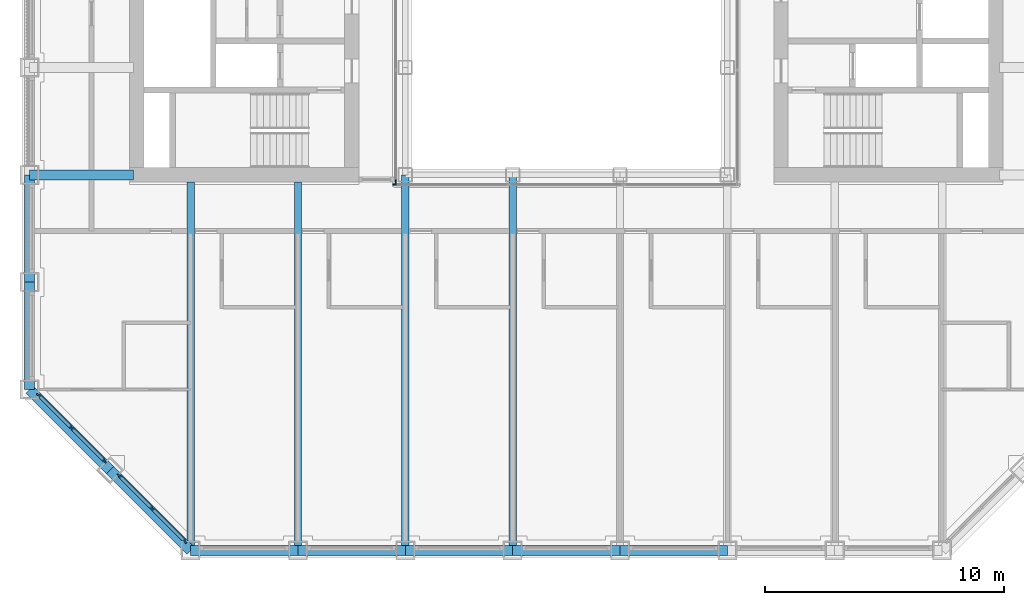
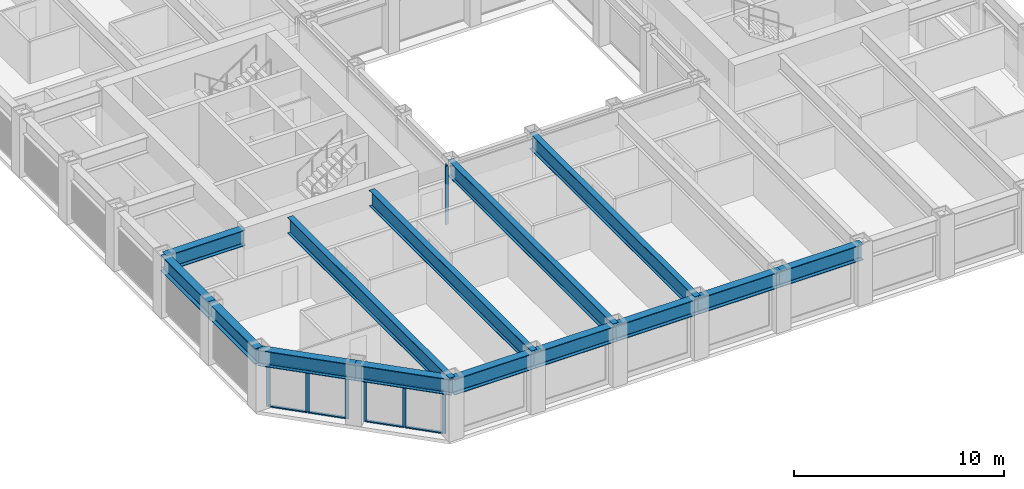
# One storey, part 2 of 18: 16 members, 14 beams, 4 elements without a shape of their own.
"""IFC4 building model written with IfcOpenShell, lengths in metres."""

from ifc_helpers import new_model, si_unit, direction, frame, origin, origin_2d, place, context, subcontext, project, spatial, rectangle, i_section, extrude, material, material_profile, profile_set, type_object, element, aggregate, save


model = new_model("IFC4")

# Units and contexts
model_context = context("Model", 3, precision=1e-05, world=origin(), true_north=direction((0.0, 1.0)))
body_context = subcontext(model_context, "Body", "Model", "MODEL_VIEW")
ifc_project = project(units=[si_unit("LENGTHUNIT", "METRE"), si_unit("AREAUNIT", "SQUARE_METRE"), si_unit("VOLUMEUNIT", "CUBIC_METRE"), si_unit("PLANEANGLEUNIT", "RADIAN"), si_unit("MASSUNIT", "GRAM", prefix="KILO")], contexts=[model_context])

# Site, building, storey
site_placement = place(None, origin())
site = spatial("IfcSite", under=ifc_project, at=site_placement, CompositionType="ELEMENT")
building_placement = place(site_placement, origin())
building = spatial("IfcBuilding", under=site, at=building_placement, Name="Msasa Ring Tower", CompositionType="ELEMENT")
storey_placement = place(building_placement, frame((0.0, 0.0, 122.0)))
storey = spatial("IfcBuildingStorey", under=building, at=storey_placement, Name="L31", CompositionType="ELEMENT", Elevation=122.0)

# Curtain wall, members
ifc_material_1 = material(Name="Aluminium curtain wall with clear glass", Category="aluminium")
curtain_wall_type_1 = type_object("IfcCurtainWallType", Name="CW-C CHAMFER CORNER CURTAIN WALL", PredefinedType="NOTDEFINED", material=ifc_material_1)
curtain_wall_1_placement = place(storey_placement, origin())
curtain_wall_1 = element("IfcCurtainWall", 1, at=curtain_wall_1_placement, inside=storey, type_object=curtain_wall_type_1, Name="Chamfer corner curtain wall SW L31", PredefinedType="NOTDEFINED")
ifc_material_2 = material(Name="Aluminium mullion", Category="aluminium")
ifc_material_profile_1 = material_profile(ifc_material_2, rectangle(XDim=0.06494140625, YDim=0.179931640625, at=origin_2d()), Name="AL 65x180")
ifc_profile_set_1 = profile_set([ifc_material_profile_1], Name="Aluminium mullion")
member_type_1 = type_object("IfcMemberType", Name="CW-C MULLION 65x180", PredefinedType="MULLION", material=ifc_profile_set_1)
member_1_placement = place(storey_placement, frame((-22.119873046875, -15.98876953125, 0.0), z_axis=(0.0, 0.0, 1.0), x_axis=(0.707106781187, 0.707106781187, 0.0)))
member_1 = element("IfcMember", 2, at=member_1_placement, type_object=member_type_1, Name="CW-C mullion 1", PredefinedType="MULLION", context=body_context, shape_type="SweptSolid", body=[
    extrude(rectangle(XDim=0.06494140625, YDim=0.179931640625, at=origin_2d()), origin(), (0.0, 0.0, 1.0), 2.47900390625),
])
member_2_placement = place(storey_placement, frame((-20.74169921875, -17.36669921875, 0.0), z_axis=(0.0, 0.0, 1.0), x_axis=(0.707106781187, 0.707106781187, 0.0)))
member_2 = element("IfcMember", 3, at=member_2_placement, type_object=member_type_1, Name="CW-C mullion 2", PredefinedType="MULLION", context=body_context, shape_type="SweptSolid", body=[
    extrude(rectangle(XDim=0.06494140625, YDim=0.179931640625, at=origin_2d()), origin(), (0.0, 0.0, 1.0), 2.47900390625),
])
member_3_placement = place(storey_placement, frame((-19.36376953125, -18.744873046875, 0.0), z_axis=(0.0, 0.0, 1.0), x_axis=(0.707106781187, 0.707106781187, 0.0)))
member_3 = element("IfcMember", 4, at=member_3_placement, type_object=member_type_1, Name="CW-C mullion 3", PredefinedType="MULLION", context=body_context, shape_type="SweptSolid", body=[
    extrude(rectangle(XDim=0.06494140625, YDim=0.179931640625, at=origin_2d()), origin(), (0.0, 0.0, 1.0), 2.47900390625),
])

curtain_wall_2_placement = place(storey_placement, origin())
curtain_wall_2 = element("IfcCurtainWall", 5, at=curtain_wall_2_placement, inside=storey, type_object=curtain_wall_type_1, Name="Chamfer corner curtain wall SW L31", PredefinedType="NOTDEFINED")
member_4_placement = place(storey_placement, frame((-18.744873046875, -19.36376953125, 0.0), z_axis=(0.0, 0.0, 1.0), x_axis=(0.707106781187, 0.707106781187, 0.0)))
member_4 = element("IfcMember", 6, at=member_4_placement, type_object=member_type_1, Name="CW-C mullion 1", PredefinedType="MULLION", context=body_context, shape_type="SweptSolid", body=[
    extrude(rectangle(XDim=0.06494140625, YDim=0.179931640625, at=origin_2d()), origin(), (0.0, 0.0, 1.0), 2.47900390625),
])
member_5_placement = place(storey_placement, frame((-17.36669921875, -20.74169921875, 0.0), z_axis=(0.0, 0.0, 1.0), x_axis=(0.707106781187, 0.707106781187, 0.0)))
member_5 = element("IfcMember", 7, at=member_5_placement, type_object=member_type_1, Name="CW-C mullion 2", PredefinedType="MULLION", context=body_context, shape_type="SweptSolid", body=[
    extrude(rectangle(XDim=0.06494140625, YDim=0.179931640625, at=origin_2d()), origin(), (0.0, 0.0, 1.0), 2.47900390625),
])
member_6_placement = place(storey_placement, frame((-15.98876953125, -22.119873046875, 0.0), z_axis=(0.0, 0.0, 1.0), x_axis=(0.707106781187, 0.707106781187, 0.0)))
member_6 = element("IfcMember", 8, at=member_6_placement, type_object=member_type_1, Name="CW-C mullion 3", PredefinedType="MULLION", context=body_context, shape_type="SweptSolid", body=[
    extrude(rectangle(XDim=0.06494140625, YDim=0.179931640625, at=origin_2d()), origin(), (0.0, 0.0, 1.0), 2.47900390625),
])

# Member
ifc_material_3 = material(Name="Aluminium transom", Category="aluminium")
ifc_material_profile_2 = material_profile(ifc_material_3, rectangle(XDim=0.139892578125, YDim=0.06494140625, at=origin_2d()), Name="AL 65x140")
ifc_profile_set_2 = profile_set([ifc_material_profile_2], Name="Aluminium transom")
member_type_2 = type_object("IfcMemberType", Name="CW-C TRANSOM 65x140", PredefinedType="USERDEFINED", material=ifc_profile_set_2)
member_7_placement = place(storey_placement, frame((-22.096923828125, -16.01171875, 0.032470703125), z_axis=(0.707106781187, -0.707106781187, 0.0), x_axis=(0.707106781187, 0.707106781187, 0.0)))
member_7 = element("IfcMember", 9, at=member_7_placement, type_object=member_type_2, Name="CW-C transom 1.1", ObjectType="TRANSOM", PredefinedType="USERDEFINED", context=body_context, shape_type="SweptSolid", body=[
    extrude(rectangle(XDim=0.139892578125, YDim=0.06494140625, at=origin_2d()), origin(), (0.0, 0.0, 1.0), 1.8837890625),
])

member_8_placement = place(storey_placement, frame((-22.096923828125, -16.01171875, 2.446533203125), z_axis=(0.707106781187, -0.707106781187, 0.0), x_axis=(0.707106781187, 0.707106781187, 0.0)))
member_8 = element("IfcMember", 10, at=member_8_placement, type_object=member_type_2, Name="CW-C transom 1.2", ObjectType="TRANSOM", PredefinedType="USERDEFINED", context=body_context, shape_type="SweptSolid", body=[
    extrude(rectangle(XDim=0.139892578125, YDim=0.06494140625, at=origin_2d()), origin(), (0.0, 0.0, 1.0), 1.8837890625),
])

member_9_placement = place(storey_placement, frame((-20.71875, -17.389892578125, 0.032470703125), z_axis=(0.707106781187, -0.707106781187, 0.0), x_axis=(0.707106781187, 0.707106781187, 0.0)))
member_9 = element("IfcMember", 11, at=member_9_placement, type_object=member_type_2, Name="CW-C transom 2.1", ObjectType="TRANSOM", PredefinedType="USERDEFINED", context=body_context, shape_type="SweptSolid", body=[
    extrude(rectangle(XDim=0.139892578125, YDim=0.06494140625, at=origin_2d()), origin(), (0.0, 0.0, 1.0), 1.8837890625),
])

member_10_placement = place(storey_placement, frame((-20.71875, -17.389892578125, 2.446533203125), z_axis=(0.707106781187, -0.707106781187, 0.0), x_axis=(0.707106781187, 0.707106781187, 0.0)))
member_10 = element("IfcMember", 12, at=member_10_placement, type_object=member_type_2, Name="CW-C transom 2.2", ObjectType="TRANSOM", PredefinedType="USERDEFINED", context=body_context, shape_type="SweptSolid", body=[
    extrude(rectangle(XDim=0.139892578125, YDim=0.06494140625, at=origin_2d()), origin(), (0.0, 0.0, 1.0), 1.8837890625),
])

aggregate(curtain_wall_1, [member_1, member_2, member_3, member_7, member_8, member_9, member_10])

member_11_placement = place(storey_placement, frame((-18.721923828125, -19.38671875, 0.032470703125), z_axis=(0.707106781187, -0.707106781187, 0.0), x_axis=(0.707106781187, 0.707106781187, 0.0)))
member_11 = element("IfcMember", 13, at=member_11_placement, type_object=member_type_2, Name="CW-C transom 1.1", ObjectType="TRANSOM", PredefinedType="USERDEFINED", context=body_context, shape_type="SweptSolid", body=[
    extrude(rectangle(XDim=0.139892578125, YDim=0.06494140625, at=origin_2d()), origin(), (0.0, 0.0, 1.0), 1.8837890625),
])

member_12_placement = place(storey_placement, frame((-18.721923828125, -19.38671875, 2.446533203125), z_axis=(0.707106781187, -0.707106781187, 0.0), x_axis=(0.707106781187, 0.707106781187, 0.0)))
member_12 = element("IfcMember", 14, at=member_12_placement, type_object=member_type_2, Name="CW-C transom 1.2", ObjectType="TRANSOM", PredefinedType="USERDEFINED", context=body_context, shape_type="SweptSolid", body=[
    extrude(rectangle(XDim=0.139892578125, YDim=0.06494140625, at=origin_2d()), origin(), (0.0, 0.0, 1.0), 1.8837890625),
])

member_13_placement = place(storey_placement, frame((-17.34375, -20.764892578125, 0.032470703125), z_axis=(0.707106781187, -0.707106781187, 0.0), x_axis=(0.707106781187, 0.707106781187, 0.0)))
member_13 = element("IfcMember", 15, at=member_13_placement, type_object=member_type_2, Name="CW-C transom 2.1", ObjectType="TRANSOM", PredefinedType="USERDEFINED", context=body_context, shape_type="SweptSolid", body=[
    extrude(rectangle(XDim=0.139892578125, YDim=0.06494140625, at=origin_2d()), origin(), (0.0, 0.0, 1.0), 1.8837890625),
])

member_14_placement = place(storey_placement, frame((-17.34375, -20.764892578125, 2.446533203125), z_axis=(0.707106781187, -0.707106781187, 0.0), x_axis=(0.707106781187, 0.707106781187, 0.0)))
member_14 = element("IfcMember", 16, at=member_14_placement, type_object=member_type_2, Name="CW-C transom 2.2", ObjectType="TRANSOM", PredefinedType="USERDEFINED", context=body_context, shape_type="SweptSolid", body=[
    extrude(rectangle(XDim=0.139892578125, YDim=0.06494140625, at=origin_2d()), origin(), (0.0, 0.0, 1.0), 1.8837890625),
])

aggregate(curtain_wall_2, [member_4, member_5, member_6, member_11, member_12, member_13, member_14])

# Curtain wall, member
ifc_material_4 = material(Name="Aluminium curtain wall with clear glass", Category="aluminium")
curtain_wall_type_2 = type_object("IfcCurtainWallType", Name="CW-W LIGHT WELL CURTAIN WALL", PredefinedType="NOTDEFINED", material=ifc_material_4)
curtain_wall_3_placement = place(storey_placement, origin())
curtain_wall_3 = element("IfcCurtainWall", 17, at=curtain_wall_3_placement, inside=storey, type_object=curtain_wall_type_2, Name="Light well curtain wall S L31", PredefinedType="NOTDEFINED")
ifc_material_5 = material(Name="Aluminium mullion", Category="aluminium")
ifc_material_profile_3 = material_profile(ifc_material_5, rectangle(XDim=0.06005859375, YDim=0.159912109375, at=origin_2d()), Name="AL 60x160")
ifc_profile_set_3 = profile_set([ifc_material_profile_3], Name="Aluminium mullion")
member_type_3 = type_object("IfcMemberType", Name="CW-W MULLION 60x160", PredefinedType="MULLION", material=ifc_profile_set_3)
member_15_placement = place(storey_placement, frame((-7.199951171875, -7.14990234375, 0.0), z_axis=(0.0, 0.0, 1.0), x_axis=(0.0, 1.0, 0.0)))
member_15 = element("IfcMember", 18, at=member_15_placement, type_object=member_type_3, Name="CW-W mullion 1", PredefinedType="MULLION", context=body_context, shape_type="SweptSolid", body=[
    extrude(rectangle(XDim=0.06005859375, YDim=0.159912109375, at=origin_2d()), origin(), (0.0, 0.0, 1.0), 3.39990234375),
])
aggregate(curtain_wall_3, [member_15])

curtain_wall_4_placement = place(storey_placement, origin())
curtain_wall_4 = element("IfcCurtainWall", 19, at=curtain_wall_4_placement, inside=storey, type_object=curtain_wall_type_2, Name="Light well curtain wall W L31", PredefinedType="NOTDEFINED")
member_16_placement = place(storey_placement, frame((-7.14990234375, -7.0400390625, 0.0), z_axis=(0.0, 0.0, 1.0), x_axis=(-1.0, 0.0, 0.0)))
member_16 = element("IfcMember", 20, at=member_16_placement, type_object=member_type_3, Name="CW-W mullion 1", PredefinedType="MULLION", context=body_context, shape_type="SweptSolid", body=[
    extrude(rectangle(XDim=0.06005859375, YDim=0.159912109375, at=origin_2d()), origin(), (0.0, 0.0, 1.0), 3.39990234375),
])
aggregate(curtain_wall_4, [member_16])

# Beams
ifc_material_6 = material(Name="Steel S355", Category="steel")
ifc_material_profile_4 = material_profile(ifc_material_6, i_section(OverallWidth=0.3076171875, OverallDepth=0.926513671875, WebThickness=0.01953125, FlangeThickness=0.031982421875, FilletRadius=0.01904296875, at=origin_2d()), Name="UB 914x305x289")
ifc_profile_set_4 = profile_set([ifc_material_profile_4], Name="Steel S355")
beam_type_1 = type_object("IfcBeamType", Name="FB3 UB 914x305x289", PredefinedType="BEAM", material=ifc_profile_set_4)
for number, where, z_axis, x_axis, name in (
    (21, (-15.75, -22.5, 2.936767578125), (0.0, 1.0, 0.0), (-1.0, 0.0, 0.0), "Floor beam S-15.75 under L32"),
    (22, (-11.25, -22.5, 2.936767578125), (0.0, 1.0, 0.0), (-1.0, 0.0, 0.0), "Floor beam S-11.25 under L32"),
):
    element("IfcBeam", number, at=place(storey_placement, frame(where, z_axis=z_axis, x_axis=x_axis)), inside=storey, type_object=beam_type_1, Name=name, PredefinedType="BEAM", context=body_context, shape_type="SweptSolid", body=[
        extrude(i_section(OverallWidth=0.3076171875, OverallDepth=0.926513671875, WebThickness=0.01953125, FlangeThickness=0.031982421875, FilletRadius=0.01904296875, at=origin_2d()), origin(), (0.0, 0.0, 1.0), 15.449951171875),
    ])
for number, where, z_axis, x_axis, name in (
    (23, (-6.75, -22.5, 2.936767578125), (0.0, 1.0, 0.0), (-1.0, 0.0, 0.0), "Floor beam S-6.75 under L32"),
    (24, (-2.25, -22.5, 2.936767578125), (0.0, 1.0, 0.0), (-1.0, 0.0, 0.0), "Floor beam S-2.25 under L32"),
):
    element("IfcBeam", number, at=place(storey_placement, frame(where, z_axis=z_axis, x_axis=x_axis)), inside=storey, type_object=beam_type_1, Name=name, PredefinedType="BEAM", context=body_context, shape_type="SweptSolid", body=[
        extrude(i_section(OverallWidth=0.3076171875, OverallDepth=0.926513671875, WebThickness=0.01953125, FlangeThickness=0.031982421875, FilletRadius=0.01904296875, at=origin_2d()), origin(), (0.0, 0.0, 1.0), 15.75),
    ])
ifc_material_7 = material(Name="Steel S355", Category="steel")
ifc_material_profile_5 = material_profile(ifc_material_7, i_section(OverallWidth=0.42041015625, OverallDepth=0.9208984375, WebThickness=0.021484375, FlangeThickness=0.03662109375, FilletRadius=0.024169921875, at=origin_2d()), Name="UB 914x419x388")
ifc_profile_set_5 = profile_set([ifc_material_profile_5], Name="Steel S355")
beam_type_2 = type_object("IfcBeamType", Name="GB1 UB 914x419x388", PredefinedType="BEAM", material=ifc_profile_set_5)
beam_placement = place(storey_placement, frame((-18.14990234375, -6.75, 2.939453125), z_axis=(-1.0, 0.0, 0.0), x_axis=(0.0, -1.0, 0.0)))
element("IfcBeam", 25, at=beam_placement, inside=storey, type_object=beam_type_2, Name="Girder W -6.75 under L32", PredefinedType="BEAM", context=body_context, shape_type="SweptSolid", body=[
    extrude(i_section(OverallWidth=0.42041015625, OverallDepth=0.9208984375, WebThickness=0.021484375, FlangeThickness=0.03662109375, FilletRadius=0.024169921875, at=origin_2d()), origin(), (0.0, 0.0, 1.0), 4.35009765625),
])
ifc_material_8 = material(Name="Steel S355", Category="steel")
ifc_material_profile_6 = material_profile(ifc_material_8, i_section(OverallWidth=0.42041015625, OverallDepth=0.9208984375, WebThickness=0.021484375, FlangeThickness=0.03662109375, FilletRadius=0.024169921875, at=origin_2d()), Name="UB 914x419x388")
ifc_profile_set_6 = profile_set([ifc_material_profile_6], Name="Steel S355")
beam_type_3 = type_object("IfcBeamType", Name="SB1 UB 914x419x388", PredefinedType="SPANDREL", material=ifc_profile_set_6)
for number, where, z_axis, x_axis, name in (
    (26, (-22.5, -6.75, 2.939453125), (0.0, -1.0, 0.0), (1.0, 0.0, 0.0), "Spandrel W-6.75 to W-11.25 under L32"),
    (27, (-22.5, -11.25, 2.939453125), (0.0, -1.0, 0.0), (1.0, 0.0, 0.0), "Spandrel W-11.25 to W-15.75 under L32"),
):
    element("IfcBeam", number, at=place(storey_placement, frame(where, z_axis=z_axis, x_axis=x_axis)), inside=storey, type_object=beam_type_3, Name=name, PredefinedType="SPANDREL", context=body_context, shape_type="SweptSolid", body=[
        extrude(i_section(OverallWidth=0.42041015625, OverallDepth=0.9208984375, WebThickness=0.021484375, FlangeThickness=0.03662109375, FilletRadius=0.024169921875, at=origin_2d()), origin(), (0.0, 0.0, 1.0), 4.5),
    ])
for number, where, z_axis, x_axis, name in (
    (28, (-22.5, -15.75, 2.939453125), (0.707106781187, -0.707106781187, 0.0), (0.707106781187, 0.707106781187, 0.0), "Spandrel W-15.75 to SW under L32"),
    (29, (-19.125, -19.125, 2.939453125), (0.707106781187, -0.707106781187, 0.0), (0.707106781187, 0.707106781187, 0.0), "Spandrel SW to S-15.75 under L32"),
):
    element("IfcBeam", number, at=place(storey_placement, frame(where, z_axis=z_axis, x_axis=x_axis)), inside=storey, type_object=beam_type_3, Name=name, PredefinedType="SPANDREL", context=body_context, shape_type="SweptSolid", body=[
        extrude(i_section(OverallWidth=0.42041015625, OverallDepth=0.9208984375, WebThickness=0.021484375, FlangeThickness=0.03662109375, FilletRadius=0.024169921875, at=origin_2d()), origin(), (0.0, 0.0, 1.0), 4.77294921875),
    ])
for number, where, z_axis, x_axis, name in (
    (30, (-15.75, -22.5, 2.939453125), (1.0, 0.0, 0.0), (0.0, 1.0, 0.0), "Spandrel S-15.75 to S-11.25 under L32"),
    (31, (-11.25, -22.5, 2.939453125), (1.0, 0.0, 0.0), (0.0, 1.0, 0.0), "Spandrel S-11.25 to S-6.75 under L32"),
    (32, (-6.75, -22.5, 2.939453125), (1.0, 0.0, 0.0), (0.0, 1.0, 0.0), "Spandrel S-6.75 to S-2.25 under L32"),
    (33, (-2.25, -22.5, 2.939453125), (1.0, 0.0, 0.0), (0.0, 1.0, 0.0), "Spandrel S-2.25 to S+2.25 under L32"),
    (34, (2.25, -22.5, 2.939453125), (1.0, 0.0, 0.0), (0.0, 1.0, 0.0), "Spandrel S+2.25 to S+6.75 under L32"),
):
    element("IfcBeam", number, at=place(storey_placement, frame(where, z_axis=z_axis, x_axis=x_axis)), inside=storey, type_object=beam_type_3, Name=name, PredefinedType="SPANDREL", context=body_context, shape_type="SweptSolid", body=[
        extrude(i_section(OverallWidth=0.42041015625, OverallDepth=0.9208984375, WebThickness=0.021484375, FlangeThickness=0.03662109375, FilletRadius=0.024169921875, at=origin_2d()), origin(), (0.0, 0.0, 1.0), 4.5),
    ])

save(model, "model.ifc")
